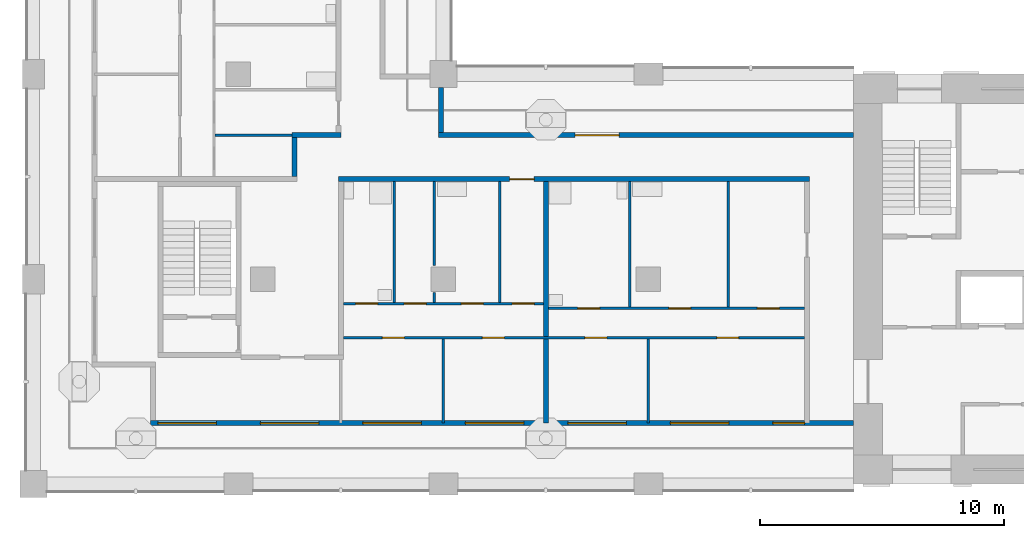
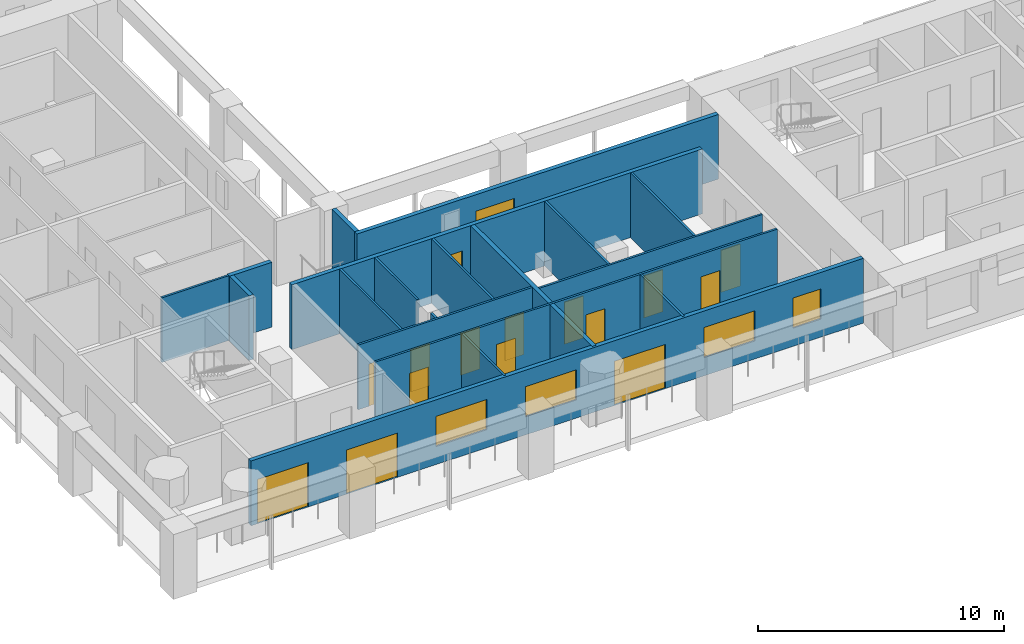
# One storey, part 2 of 13: 19 walls, 16 doors, 4 windows, 20 openings.
"""IFC4 building model written with IfcOpenShell, lengths in metres."""

from ifc_helpers import new_model, si_unit, direction, frame, frame_2d, origin, place, context, subcontext, project, spatial, rectangle, extrude, material, layer, layer_set, type_object, element, fill, save


model = new_model("IFC4")

# Units and contexts
model_context = context("Model", 3, precision=1e-05, world=origin(), true_north=direction((0.0, 1.0)))
body_context = subcontext(model_context, "Body", "Model", "MODEL_VIEW")
ifc_project = project(units=[si_unit("LENGTHUNIT", "METRE"), si_unit("AREAUNIT", "SQUARE_METRE"), si_unit("VOLUMEUNIT", "CUBIC_METRE"), si_unit("PLANEANGLEUNIT", "RADIAN"), si_unit("MASSUNIT", "GRAM", prefix="KILO")], contexts=[model_context])

# Site, building, storey
site_placement = place(None, origin())
site = spatial("IfcSite", under=ifc_project, at=site_placement, CompositionType="ELEMENT")
building_placement = place(site_placement, origin())
building = spatial("IfcBuilding", under=site, at=building_placement, Name="Vermilion Gate Residences", CompositionType="ELEMENT")
storey_placement = place(building_placement, frame((0.0, 0.0, 179.199951171875)))
storey = spatial("IfcBuildingStorey", under=building, at=storey_placement, Name="L46", CompositionType="ELEMENT", Elevation=179.199951171875)

# Wall, openings, doors, windows
ifc_material_1 = material(Name="Insulated steel stud wall with terracotta rainscreen", Category="masonry")
ifc_layer_1 = layer(ifc_material_1, 0.199951171875)
ifc_layer_set_1 = layer_set([ifc_layer_1], Name="EXTERNAL WALL 200 TERRACOTTA RAINSCREEN")
wall_type_1 = type_object("IfcWallType", Name="EXTERNAL WALL 200 TERRACOTTA RAINSCREEN", PredefinedType="SOLIDWALL", material=ifc_layer_set_1)
wall_1_placement = place(storey_placement, frame((13.199951171875, 10.89990234375, 0.0), z_axis=(0.0, 0.0, 1.0), x_axis=(1.0, 0.0, 0.0)))
wall_1 = element("IfcWall", 1, at=wall_1_placement, inside=storey, type_object=wall_type_1, Name="External wall", PredefinedType="SOLIDWALL", context=body_context, shape_type="SweptSolid", body=[
    extrude(rectangle(XDim=28.800048828125, YDim=0.199951171875, at=frame_2d((14.39990234375, 0.0))), origin(), (0.0, 0.0, 1.0), 3.219970703125),
])
opening_1_placement = place(wall_1_placement, frame((0.300048828125, 0.0, 0.0)))
opening_1 = element("IfcOpeningElement", 2, at=opening_1_placement, cuts=wall_1, Name="Opening DE46008", PredefinedType="OPENING", context=body_context, shape_type="SweptSolid", body=[
    extrude(rectangle(XDim=2.39990234375, YDim=2.199951171875, at=frame_2d((1.199951171875, 1.10009765625))), frame((0.0, 0.10986328125, 0.0), z_axis=(0.0, -1.0, 0.0), x_axis=(1.0, 0.0, 0.0)), (0.0, 0.0, 1.0), 0.219970703125),
])
opening_2_placement = place(wall_1_placement, frame((4.5, 0.0, 0.0)))
opening_2 = element("IfcOpeningElement", 3, at=opening_2_placement, cuts=wall_1, Name="Opening DE46009", PredefinedType="OPENING", context=body_context, shape_type="SweptSolid", body=[
    extrude(rectangle(XDim=2.39990234375, YDim=2.199951171875, at=frame_2d((1.199951171875, 1.10009765625))), frame((0.0, 0.10986328125, 0.0), z_axis=(0.0, -1.0, 0.0), x_axis=(1.0, 0.0, 0.0)), (0.0, 0.0, 1.0), 0.219970703125),
])
opening_3_placement = place(wall_1_placement, frame((8.699951171875, 0.0, 0.89990234375)))
opening_3 = element("IfcOpeningElement", 4, at=opening_3_placement, cuts=wall_1, Name="Opening WE46010", PredefinedType="OPENING", context=body_context, shape_type="SweptSolid", body=[
    extrude(rectangle(XDim=2.39990234375, YDim=1.5, at=frame_2d((1.199951171875, 0.75))), frame((0.0, 0.10986328125, 0.0), z_axis=(0.0, -1.0, 0.0), x_axis=(1.0, 0.0, 0.0)), (0.0, 0.0, 1.0), 0.219970703125),
])
opening_4_placement = place(wall_1_placement, frame((12.89990234375, 0.0, 0.89990234375)))
opening_4 = element("IfcOpeningElement", 5, at=opening_4_placement, cuts=wall_1, Name="Opening WE46011", PredefinedType="OPENING", context=body_context, shape_type="SweptSolid", body=[
    extrude(rectangle(XDim=2.39990234375, YDim=1.5, at=frame_2d((1.199951171875, 0.75))), frame((0.0, 0.10986328125, 0.0), z_axis=(0.0, -1.0, 0.0), x_axis=(1.0, 0.0, 0.0)), (0.0, 0.0, 1.0), 0.219970703125),
])
opening_5_placement = place(wall_1_placement, frame((17.10009765625, 0.0, 0.0)))
opening_5 = element("IfcOpeningElement", 6, at=opening_5_placement, cuts=wall_1, Name="Opening DE46012", PredefinedType="OPENING", context=body_context, shape_type="SweptSolid", body=[
    extrude(rectangle(XDim=2.39990234375, YDim=2.199951171875, at=frame_2d((1.199951171875, 1.10009765625))), frame((0.0, 0.10986328125, 0.0), z_axis=(0.0, -1.0, 0.0), x_axis=(1.0, 0.0, 0.0)), (0.0, 0.0, 1.0), 0.219970703125),
])
opening_6_placement = place(wall_1_placement, frame((21.300048828125, 0.0, 0.89990234375)))
opening_6 = element("IfcOpeningElement", 7, at=opening_6_placement, cuts=wall_1, Name="Opening WE46013", PredefinedType="OPENING", context=body_context, shape_type="SweptSolid", body=[
    extrude(rectangle(XDim=2.39990234375, YDim=1.5, at=frame_2d((1.199951171875, 0.75))), frame((0.0, 0.10986328125, 0.0), z_axis=(0.0, -1.0, 0.0), x_axis=(1.0, 0.0, 0.0)), (0.0, 0.0, 1.0), 0.219970703125),
])
opening_7_placement = place(wall_1_placement, frame((25.5, 0.0, 0.89990234375)))
opening_7 = element("IfcOpeningElement", 8, at=opening_7_placement, cuts=wall_1, Name="Opening WE46014", PredefinedType="OPENING", context=body_context, shape_type="SweptSolid", body=[
    extrude(rectangle(XDim=1.300048828125, YDim=1.5, at=frame_2d((0.64990234375, 0.75))), frame((0.0, 0.10986328125, 0.0), z_axis=(0.0, -1.0, 0.0), x_axis=(1.0, 0.0, 0.0)), (0.0, 0.0, 1.0), 0.219970703125),
])
ifc_material_2 = material(Name="Aluminium and clear glass", Category="aluminium")
door_type_1 = type_object("IfcDoorType", Name="SLIDING GLAZED DOOR 2400 X 2200", OperationType="DOUBLE_DOOR_SLIDING", PredefinedType="DOOR", material=ifc_material_2)
door_1_placement = place(opening_1_placement, origin())
door_1 = element("IfcDoor", 9, at=door_1_placement, inside=storey, type_object=door_type_1, Name="Loggia sliding door", OperationType="DOUBLE_DOOR_SLIDING", OverallHeight=2.199951171875, OverallWidth=2.39990234375, PredefinedType="DOOR", context=body_context, shape_type="SweptSolid", body=[
    extrude(rectangle(XDim=2.39990234375, YDim=2.199951171875, at=frame_2d((1.199951171875, 1.10009765625))), frame((0.0, 0.02490234375, 0.0), z_axis=(0.0, -1.0, 0.0), x_axis=(1.0, 0.0, 0.0)), (0.0, 0.0, 1.0), 0.050048828125),
])
fill(opening_1, door_1)
door_2_placement = place(opening_2_placement, origin())
door_2 = element("IfcDoor", 10, at=door_2_placement, inside=storey, type_object=door_type_1, Name="Loggia sliding door", OperationType="DOUBLE_DOOR_SLIDING", OverallHeight=2.199951171875, OverallWidth=2.39990234375, PredefinedType="DOOR", context=body_context, shape_type="SweptSolid", body=[
    extrude(rectangle(XDim=2.39990234375, YDim=2.199951171875, at=frame_2d((1.199951171875, 1.10009765625))), frame((0.0, 0.02490234375, 0.0), z_axis=(0.0, -1.0, 0.0), x_axis=(1.0, 0.0, 0.0)), (0.0, 0.0, 1.0), 0.050048828125),
])
fill(opening_2, door_2)
door_3_placement = place(opening_5_placement, origin())
door_3 = element("IfcDoor", 11, at=door_3_placement, inside=storey, type_object=door_type_1, Name="Loggia sliding door", OperationType="DOUBLE_DOOR_SLIDING", OverallHeight=2.199951171875, OverallWidth=2.39990234375, PredefinedType="DOOR", context=body_context, shape_type="SweptSolid", body=[
    extrude(rectangle(XDim=2.39990234375, YDim=2.199951171875, at=frame_2d((1.199951171875, 1.10009765625))), frame((0.0, 0.02490234375, 0.0), z_axis=(0.0, -1.0, 0.0), x_axis=(1.0, 0.0, 0.0)), (0.0, 0.0, 1.0), 0.050048828125),
])
fill(opening_5, door_3)
ifc_material_3 = material(Name="Aluminium and clear glass", Category="aluminium")
window_type_1 = type_object("IfcWindowType", Name="WINDOW 1300 X 1500", PartitioningType="SINGLE_PANEL", PredefinedType="WINDOW", material=ifc_material_3)
window_1_placement = place(opening_7_placement, origin())
window_1 = element("IfcWindow", 12, at=window_1_placement, inside=storey, type_object=window_type_1, Name="Window", OverallHeight=1.5, OverallWidth=1.300048828125, PartitioningType="SINGLE_PANEL", PredefinedType="WINDOW", context=body_context, shape_type="SweptSolid", body=[
    extrude(rectangle(XDim=1.300048828125, YDim=1.5, at=frame_2d((0.64990234375, 0.75))), frame((0.0, 0.030029296875, 0.0), z_axis=(0.0, -1.0, 0.0), x_axis=(1.0, 0.0, 0.0)), (0.0, 0.0, 1.0), 0.06005859375),
])
fill(opening_7, window_1)
ifc_material_4 = material(Name="Aluminium and clear glass", Category="aluminium")
window_type_2 = type_object("IfcWindowType", Name="WINDOW 2400 X 1500", PartitioningType="SINGLE_PANEL", PredefinedType="WINDOW", material=ifc_material_4)
window_2_placement = place(opening_3_placement, origin())
window_2 = element("IfcWindow", 13, at=window_2_placement, inside=storey, type_object=window_type_2, Name="Window", OverallHeight=1.5, OverallWidth=2.39990234375, PartitioningType="SINGLE_PANEL", PredefinedType="WINDOW", context=body_context, shape_type="SweptSolid", body=[
    extrude(rectangle(XDim=2.39990234375, YDim=1.5, at=frame_2d((1.199951171875, 0.75))), frame((0.0, 0.030029296875, 0.0), z_axis=(0.0, -1.0, 0.0), x_axis=(1.0, 0.0, 0.0)), (0.0, 0.0, 1.0), 0.06005859375),
])
fill(opening_3, window_2)
window_3_placement = place(opening_4_placement, origin())
window_3 = element("IfcWindow", 14, at=window_3_placement, inside=storey, type_object=window_type_2, Name="Window", OverallHeight=1.5, OverallWidth=2.39990234375, PartitioningType="SINGLE_PANEL", PredefinedType="WINDOW", context=body_context, shape_type="SweptSolid", body=[
    extrude(rectangle(XDim=2.39990234375, YDim=1.5, at=frame_2d((1.199951171875, 0.75))), frame((0.0, 0.030029296875, 0.0), z_axis=(0.0, -1.0, 0.0), x_axis=(1.0, 0.0, 0.0)), (0.0, 0.0, 1.0), 0.06005859375),
])
fill(opening_4, window_3)
window_4_placement = place(opening_6_placement, origin())
window_4 = element("IfcWindow", 15, at=window_4_placement, inside=storey, type_object=window_type_2, Name="Window", OverallHeight=1.5, OverallWidth=2.39990234375, PartitioningType="SINGLE_PANEL", PredefinedType="WINDOW", context=body_context, shape_type="SweptSolid", body=[
    extrude(rectangle(XDim=2.39990234375, YDim=1.5, at=frame_2d((1.199951171875, 0.75))), frame((0.0, 0.030029296875, 0.0), z_axis=(0.0, -1.0, 0.0), x_axis=(1.0, 0.0, 0.0)), (0.0, 0.0, 1.0), 0.06005859375),
])
fill(opening_6, window_4)

# Wall, opening, door
wall_2_placement = place(storey_placement, frame((42.0, 22.699951171875, 0.0), z_axis=(0.0, 0.0, 1.0), x_axis=(-1.0, 0.0, 0.0)))
wall_2 = element("IfcWall", 16, at=wall_2_placement, inside=storey, type_object=wall_type_1, Name="External wall", PredefinedType="SOLIDWALL", context=body_context, shape_type="SweptSolid", body=[
    extrude(rectangle(XDim=17.0, YDim=0.199951171875, at=frame_2d((8.5, 0.0))), origin(), (0.0, 0.0, 1.0), 3.219970703125),
])
opening_8_placement = place(wall_2_placement, frame((9.60009765625, 0.0, 0.0)))
opening_8 = element("IfcOpeningElement", 17, at=opening_8_placement, cuts=wall_2, Name="Opening DE46020", PredefinedType="OPENING", context=body_context, shape_type="SweptSolid", body=[
    extrude(rectangle(XDim=1.800048828125, YDim=2.39990234375, at=frame_2d((0.89990234375, 1.199951171875))), frame((0.0, 0.10986328125, 0.0), z_axis=(0.0, -1.0, 0.0), x_axis=(1.0, 0.0, 0.0)), (0.0, 0.0, 1.0), 0.219970703125),
])
ifc_material_5 = material(Name="Aluminium and clear glass", Category="aluminium")
door_type_2 = type_object("IfcDoorType", Name="GLAZED EXTERNAL DOOR 1800 X 2400", OperationType="DOUBLE_DOOR_SINGLE_SWING", PredefinedType="DOOR", material=ifc_material_5)
door_4_placement = place(opening_8_placement, frame((1.800048828125, 0.0, 0.0), z_axis=(0.0, 0.0, 1.0), x_axis=(-1.0, 0.0, 0.0)))
door_4 = element("IfcDoor", 18, at=door_4_placement, inside=storey, type_object=door_type_2, Name="Gallery door", OperationType="DOUBLE_DOOR_SINGLE_SWING", OverallHeight=2.39990234375, OverallWidth=1.800048828125, PredefinedType="DOOR", context=body_context, shape_type="SweptSolid", body=[
    extrude(rectangle(XDim=1.800048828125, YDim=2.39990234375, at=frame_2d((0.89990234375, 1.199951171875))), frame((0.0, 0.02490234375, 0.0), z_axis=(0.0, -1.0, 0.0), x_axis=(1.0, 0.0, 0.0)), (0.0, 0.0, 1.0), 0.050048828125),
])
fill(opening_8, door_4)

# Wall
wall_3_placement = place(storey_placement, frame((25.10009765625, 22.800048828125, 0.0), z_axis=(0.0, 0.0, 1.0), x_axis=(0.0, 1.0, 0.0)))
element("IfcWall", 19, at=wall_3_placement, inside=storey, type_object=wall_type_1, Name="External wall", PredefinedType="SOLIDWALL", context=body_context, shape_type="SweptSolid", body=[
    extrude(rectangle(XDim=1.849853515625, YDim=0.199951171875, at=frame_2d((0.9248046875, 0.0))), origin(), (0.0, 0.0, 1.0), 3.219970703125),
])

# Wall, openings, doors
ifc_material_6 = material(Name="Plasterboard on steel studs", Category="steel")
ifc_layer_2 = layer(ifc_material_6, 0.10009765625)
ifc_layer_set_2 = layer_set([ifc_layer_2], Name="PARTITION 100")
wall_type_2 = type_object("IfcWallType", Name="PARTITION 100", PredefinedType="PARTITIONING", material=ifc_layer_set_2)
wall_4_placement = place(storey_placement, frame((21.10009765625, 14.39990234375, 0.0), z_axis=(0.0, 0.0, 1.0), x_axis=(1.0, 0.0, 0.0)))
wall_4 = element("IfcWall", 20, at=wall_4_placement, inside=storey, type_object=wall_type_2, Name="Partition", PredefinedType="PARTITIONING", context=body_context, shape_type="SweptSolid", body=[
    extrude(rectangle(XDim=18.89990234375, YDim=0.10009765625, at=frame_2d((9.449951171875, 0.0))), origin(), (0.0, 0.0, 1.0), 3.219970703125),
])
opening_9_placement = place(wall_4_placement, frame((1.60009765625, 0.0, 0.0)))
opening_9 = element("IfcOpeningElement", 21, at=opening_9_placement, cuts=wall_4, Name="Opening DA46002", PredefinedType="OPENING", context=body_context, shape_type="SweptSolid", body=[
    extrude(rectangle(XDim=0.89990234375, YDim=2.10009765625, at=frame_2d((0.449951171875, 1.050048828125))), frame((0.0, 0.06005859375, 0.0), z_axis=(0.0, -1.0, 0.0), x_axis=(1.0, 0.0, 0.0)), (0.0, 0.0, 1.0), 0.1201171875),
])
opening_10_placement = place(wall_4_placement, frame((5.699951171875, 0.0, 0.0)))
opening_10 = element("IfcOpeningElement", 22, at=opening_10_placement, cuts=wall_4, Name="Opening DA46003", PredefinedType="OPENING", context=body_context, shape_type="SweptSolid", body=[
    extrude(rectangle(XDim=0.89990234375, YDim=2.10009765625, at=frame_2d((0.449951171875, 1.050048828125))), frame((0.0, 0.06005859375, 0.0), z_axis=(0.0, -1.0, 0.0), x_axis=(1.0, 0.0, 0.0)), (0.0, 0.0, 1.0), 0.1201171875),
])
opening_11_placement = place(wall_4_placement, frame((9.89990234375, 0.0, 0.0)))
opening_11 = element("IfcOpeningElement", 23, at=opening_11_placement, cuts=wall_4, Name="Opening DA46004", PredefinedType="OPENING", context=body_context, shape_type="SweptSolid", body=[
    extrude(rectangle(XDim=0.89990234375, YDim=2.10009765625, at=frame_2d((0.449951171875, 1.050048828125))), frame((0.0, 0.06005859375, 0.0), z_axis=(0.0, -1.0, 0.0), x_axis=(1.0, 0.0, 0.0)), (0.0, 0.0, 1.0), 0.1201171875),
])
opening_12_placement = place(wall_4_placement, frame((15.300048828125, 0.0, 0.0)))
opening_12 = element("IfcOpeningElement", 24, at=opening_12_placement, cuts=wall_4, Name="Opening DA46005", PredefinedType="OPENING", context=body_context, shape_type="SweptSolid", body=[
    extrude(rectangle(XDim=0.89990234375, YDim=2.10009765625, at=frame_2d((0.449951171875, 1.050048828125))), frame((0.0, 0.06005859375, 0.0), z_axis=(0.0, -1.0, 0.0), x_axis=(1.0, 0.0, 0.0)), (0.0, 0.0, 1.0), 0.1201171875),
])
ifc_material_7 = material(Name="Timber", Category="wood")
door_type_3 = type_object("IfcDoorType", Name="INTERIOR DOOR 900 X 2100", OperationType="SINGLE_SWING_LEFT", PredefinedType="DOOR", material=ifc_material_7)
door_5_placement = place(opening_9_placement, frame((0.89990234375, 0.0, 0.0), z_axis=(0.0, 0.0, 1.0), x_axis=(-1.0, 0.0, 0.0)))
door_5 = element("IfcDoor", 25, at=door_5_placement, inside=storey, type_object=door_type_3, Name="Interior door", OperationType="SINGLE_SWING_LEFT", OverallHeight=2.10009765625, OverallWidth=0.89990234375, PredefinedType="DOOR", context=body_context, shape_type="SweptSolid", body=[
    extrude(rectangle(XDim=0.89990234375, YDim=2.10009765625, at=frame_2d((0.449951171875, 1.050048828125))), frame((0.0, 0.02490234375, 0.0), z_axis=(0.0, -1.0, 0.0), x_axis=(1.0, 0.0, 0.0)), (0.0, 0.0, 1.0), 0.050048828125),
])
fill(opening_9, door_5)
door_6_placement = place(opening_10_placement, frame((0.89990234375, 0.0, 0.0), z_axis=(0.0, 0.0, 1.0), x_axis=(-1.0, 0.0, 0.0)))
door_6 = element("IfcDoor", 26, at=door_6_placement, inside=storey, type_object=door_type_3, Name="Interior door", OperationType="SINGLE_SWING_RIGHT", OverallHeight=2.10009765625, OverallWidth=0.89990234375, PredefinedType="DOOR", context=body_context, shape_type="SweptSolid", body=[
    extrude(rectangle(XDim=0.89990234375, YDim=2.10009765625, at=frame_2d((0.449951171875, 1.050048828125))), frame((0.0, 0.02490234375, 0.0), z_axis=(0.0, -1.0, 0.0), x_axis=(1.0, 0.0, 0.0)), (0.0, 0.0, 1.0), 0.050048828125),
])
fill(opening_10, door_6)
door_7_placement = place(opening_11_placement, frame((0.89990234375, 0.0, 0.0), z_axis=(0.0, 0.0, 1.0), x_axis=(-1.0, 0.0, 0.0)))
door_7 = element("IfcDoor", 27, at=door_7_placement, inside=storey, type_object=door_type_3, Name="Interior door", OperationType="SINGLE_SWING_RIGHT", OverallHeight=2.10009765625, OverallWidth=0.89990234375, PredefinedType="DOOR", context=body_context, shape_type="SweptSolid", body=[
    extrude(rectangle(XDim=0.89990234375, YDim=2.10009765625, at=frame_2d((0.449951171875, 1.050048828125))), frame((0.0, 0.02490234375, 0.0), z_axis=(0.0, -1.0, 0.0), x_axis=(1.0, 0.0, 0.0)), (0.0, 0.0, 1.0), 0.050048828125),
])
fill(opening_11, door_7)
door_8_placement = place(opening_12_placement, frame((0.89990234375, 0.0, 0.0), z_axis=(0.0, 0.0, 1.0), x_axis=(-1.0, 0.0, 0.0)))
door_8 = element("IfcDoor", 28, at=door_8_placement, inside=storey, type_object=door_type_3, Name="Interior door", OperationType="SINGLE_SWING_LEFT", OverallHeight=2.10009765625, OverallWidth=0.89990234375, PredefinedType="DOOR", context=body_context, shape_type="SweptSolid", body=[
    extrude(rectangle(XDim=0.89990234375, YDim=2.10009765625, at=frame_2d((0.449951171875, 1.050048828125))), frame((0.0, 0.02490234375, 0.0), z_axis=(0.0, -1.0, 0.0), x_axis=(1.0, 0.0, 0.0)), (0.0, 0.0, 1.0), 0.050048828125),
])
fill(opening_12, door_8)

wall_5_placement = place(storey_placement, frame((29.5, 15.60009765625, 0.0), z_axis=(0.0, 0.0, 1.0), x_axis=(1.0, 0.0, 0.0)))
wall_5 = element("IfcWall", 29, at=wall_5_placement, inside=storey, type_object=wall_type_2, Name="Partition", PredefinedType="PARTITIONING", context=body_context, shape_type="SweptSolid", body=[
    extrude(rectangle(XDim=10.5, YDim=0.10009765625, at=frame_2d((5.25, 0.0))), origin(), (0.0, 0.0, 1.0), 3.219970703125),
])
opening_13_placement = place(wall_5_placement, frame((8.56689453125, 0.0, 0.0)))
opening_13 = element("IfcOpeningElement", 30, at=opening_13_placement, cuts=wall_5, Name="Opening DA46006", PredefinedType="OPENING", context=body_context, shape_type="SweptSolid", body=[
    extrude(rectangle(XDim=0.89990234375, YDim=2.10009765625, at=frame_2d((0.449951171875, 1.050048828125))), frame((0.0, 0.06005859375, 0.0), z_axis=(0.0, -1.0, 0.0), x_axis=(1.0, 0.0, 0.0)), (0.0, 0.0, 1.0), 0.1201171875),
])
opening_14_placement = place(wall_5_placement, frame((1.199951171875, 0.0, 0.0)))
opening_14 = element("IfcOpeningElement", 31, at=opening_14_placement, cuts=wall_5, Name="Opening DA46007", PredefinedType="OPENING", context=body_context, shape_type="SweptSolid", body=[
    extrude(rectangle(XDim=0.89990234375, YDim=2.10009765625, at=frame_2d((0.449951171875, 1.050048828125))), frame((0.0, 0.06005859375, 0.0), z_axis=(0.0, -1.0, 0.0), x_axis=(1.0, 0.0, 0.0)), (0.0, 0.0, 1.0), 0.1201171875),
])
opening_15_placement = place(wall_5_placement, frame((4.93310546875, 0.0, 0.0)))
opening_15 = element("IfcOpeningElement", 32, at=opening_15_placement, cuts=wall_5, Name="Opening DA46008", PredefinedType="OPENING", context=body_context, shape_type="SweptSolid", body=[
    extrude(rectangle(XDim=0.89990234375, YDim=2.10009765625, at=frame_2d((0.449951171875, 1.050048828125))), frame((0.0, 0.06005859375, 0.0), z_axis=(0.0, -1.0, 0.0), x_axis=(1.0, 0.0, 0.0)), (0.0, 0.0, 1.0), 0.1201171875),
])
door_9_placement = place(opening_13_placement, frame((0.89990234375, 0.0, 0.0), z_axis=(0.0, 0.0, 1.0), x_axis=(-1.0, 0.0, 0.0)))
door_9 = element("IfcDoor", 33, at=door_9_placement, inside=storey, type_object=door_type_3, Name="Interior door", OperationType="SINGLE_SWING_LEFT", OverallHeight=2.10009765625, OverallWidth=0.89990234375, PredefinedType="DOOR", context=body_context, shape_type="SweptSolid", body=[
    extrude(rectangle(XDim=0.89990234375, YDim=2.10009765625, at=frame_2d((0.449951171875, 1.050048828125))), frame((0.0, 0.02490234375, 0.0), z_axis=(0.0, -1.0, 0.0), x_axis=(1.0, 0.0, 0.0)), (0.0, 0.0, 1.0), 0.050048828125),
])
fill(opening_13, door_9)
door_10_placement = place(opening_14_placement, origin())
door_10 = element("IfcDoor", 34, at=door_10_placement, inside=storey, type_object=door_type_3, Name="Interior door", OperationType="SINGLE_SWING_LEFT", OverallHeight=2.10009765625, OverallWidth=0.89990234375, PredefinedType="DOOR", context=body_context, shape_type="SweptSolid", body=[
    extrude(rectangle(XDim=0.89990234375, YDim=2.10009765625, at=frame_2d((0.449951171875, 1.050048828125))), frame((0.0, 0.02490234375, 0.0), z_axis=(0.0, -1.0, 0.0), x_axis=(1.0, 0.0, 0.0)), (0.0, 0.0, 1.0), 0.050048828125),
])
fill(opening_14, door_10)
door_11_placement = place(opening_15_placement, origin())
door_11 = element("IfcDoor", 35, at=door_11_placement, inside=storey, type_object=door_type_3, Name="Interior door", OperationType="SINGLE_SWING_RIGHT", OverallHeight=2.10009765625, OverallWidth=0.89990234375, PredefinedType="DOOR", context=body_context, shape_type="SweptSolid", body=[
    extrude(rectangle(XDim=0.89990234375, YDim=2.10009765625, at=frame_2d((0.449951171875, 1.050048828125))), frame((0.0, 0.02490234375, 0.0), z_axis=(0.0, -1.0, 0.0), x_axis=(1.0, 0.0, 0.0)), (0.0, 0.0, 1.0), 0.050048828125),
])
fill(opening_15, door_11)

wall_6_placement = place(storey_placement, frame((21.10009765625, 15.800048828125, 0.0), z_axis=(0.0, 0.0, 1.0), x_axis=(1.0, 0.0, 0.0)))
wall_6 = element("IfcWall", 36, at=wall_6_placement, inside=storey, type_object=wall_type_2, Name="Partition", PredefinedType="PARTITIONING", context=body_context, shape_type="SweptSolid", body=[
    extrude(rectangle(XDim=8.199951171875, YDim=0.10009765625, at=frame_2d((4.10009765625, 0.0))), origin(), (0.0, 0.0, 1.0), 3.219970703125),
])
opening_16_placement = place(wall_6_placement, frame((6.916015625, 0.0, 0.0)))
opening_16 = element("IfcOpeningElement", 37, at=opening_16_placement, cuts=wall_6, Name="Opening DA46009", PredefinedType="OPENING", context=body_context, shape_type="SweptSolid", body=[
    extrude(rectangle(XDim=0.89990234375, YDim=2.10009765625, at=frame_2d((0.449951171875, 1.050048828125))), frame((0.0, 0.06005859375, 0.0), z_axis=(0.0, -1.0, 0.0), x_axis=(1.0, 0.0, 0.0)), (0.0, 0.0, 1.0), 0.1201171875),
])
opening_17_placement = place(wall_6_placement, frame((0.5, 0.0, 0.0)))
opening_17 = element("IfcOpeningElement", 38, at=opening_17_placement, cuts=wall_6, Name="Opening DA46010", PredefinedType="OPENING", context=body_context, shape_type="SweptSolid", body=[
    extrude(rectangle(XDim=0.89990234375, YDim=2.10009765625, at=frame_2d((0.449951171875, 1.050048828125))), frame((0.0, 0.06005859375, 0.0), z_axis=(0.0, -1.0, 0.0), x_axis=(1.0, 0.0, 0.0)), (0.0, 0.0, 1.0), 0.1201171875),
])
opening_18_placement = place(wall_6_placement, frame((2.489990234375, 0.0, 0.0)))
opening_18 = element("IfcOpeningElement", 39, at=opening_18_placement, cuts=wall_6, Name="Opening DA46011", PredefinedType="OPENING", context=body_context, shape_type="SweptSolid", body=[
    extrude(rectangle(XDim=0.89990234375, YDim=2.10009765625, at=frame_2d((0.449951171875, 1.050048828125))), frame((0.0, 0.06005859375, 0.0), z_axis=(0.0, -1.0, 0.0), x_axis=(1.0, 0.0, 0.0)), (0.0, 0.0, 1.0), 0.1201171875),
])
opening_19_placement = place(wall_6_placement, frame((4.83203125, 0.0, 0.0)))
opening_19 = element("IfcOpeningElement", 40, at=opening_19_placement, cuts=wall_6, Name="Opening DA46012", PredefinedType="OPENING", context=body_context, shape_type="SweptSolid", body=[
    extrude(rectangle(XDim=0.89990234375, YDim=2.10009765625, at=frame_2d((0.449951171875, 1.050048828125))), frame((0.0, 0.06005859375, 0.0), z_axis=(0.0, -1.0, 0.0), x_axis=(1.0, 0.0, 0.0)), (0.0, 0.0, 1.0), 0.1201171875),
])
door_12_placement = place(opening_16_placement, origin())
door_12 = element("IfcDoor", 41, at=door_12_placement, inside=storey, type_object=door_type_3, Name="Interior door", OperationType="SINGLE_SWING_RIGHT", OverallHeight=2.10009765625, OverallWidth=0.89990234375, PredefinedType="DOOR", context=body_context, shape_type="SweptSolid", body=[
    extrude(rectangle(XDim=0.89990234375, YDim=2.10009765625, at=frame_2d((0.449951171875, 1.050048828125))), frame((0.0, 0.02490234375, 0.0), z_axis=(0.0, -1.0, 0.0), x_axis=(1.0, 0.0, 0.0)), (0.0, 0.0, 1.0), 0.050048828125),
])
fill(opening_16, door_12)
door_13_placement = place(opening_17_placement, origin())
door_13 = element("IfcDoor", 42, at=door_13_placement, inside=storey, type_object=door_type_3, Name="Interior door", OperationType="SINGLE_SWING_RIGHT", OverallHeight=2.10009765625, OverallWidth=0.89990234375, PredefinedType="DOOR", context=body_context, shape_type="SweptSolid", body=[
    extrude(rectangle(XDim=0.89990234375, YDim=2.10009765625, at=frame_2d((0.449951171875, 1.050048828125))), frame((0.0, 0.02490234375, 0.0), z_axis=(0.0, -1.0, 0.0), x_axis=(1.0, 0.0, 0.0)), (0.0, 0.0, 1.0), 0.050048828125),
])
fill(opening_17, door_13)
door_14_placement = place(opening_18_placement, origin())
door_14 = element("IfcDoor", 43, at=door_14_placement, inside=storey, type_object=door_type_3, Name="Interior door", OperationType="SINGLE_SWING_RIGHT", OverallHeight=2.10009765625, OverallWidth=0.89990234375, PredefinedType="DOOR", context=body_context, shape_type="SweptSolid", body=[
    extrude(rectangle(XDim=0.89990234375, YDim=2.10009765625, at=frame_2d((0.449951171875, 1.050048828125))), frame((0.0, 0.02490234375, 0.0), z_axis=(0.0, -1.0, 0.0), x_axis=(1.0, 0.0, 0.0)), (0.0, 0.0, 1.0), 0.050048828125),
])
fill(opening_18, door_14)
door_15_placement = place(opening_19_placement, origin())
door_15 = element("IfcDoor", 44, at=door_15_placement, inside=storey, type_object=door_type_3, Name="Interior door", OperationType="SINGLE_SWING_RIGHT", OverallHeight=2.10009765625, OverallWidth=0.89990234375, PredefinedType="DOOR", context=body_context, shape_type="SweptSolid", body=[
    extrude(rectangle(XDim=0.89990234375, YDim=2.10009765625, at=frame_2d((0.449951171875, 1.050048828125))), frame((0.0, 0.02490234375, 0.0), z_axis=(0.0, -1.0, 0.0), x_axis=(1.0, 0.0, 0.0)), (0.0, 0.0, 1.0), 0.050048828125),
])
fill(opening_19, door_15)

# Walls
wall_7_placement = place(storey_placement, frame((15.85009765625, 22.699951171875, 0.0), z_axis=(0.0, 0.0, 1.0), x_axis=(1.0, 0.0, 0.0)))
element("IfcWall", 45, at=wall_7_placement, inside=storey, type_object=wall_type_2, Name="Partition", PredefinedType="PARTITIONING", context=body_context, shape_type="SweptSolid", body=[
    extrude(rectangle(XDim=3.14990234375, YDim=0.10009765625, at=frame_2d((1.574951171875, 0.0))), origin(), (0.0, 0.0, 1.0), 3.219970703125),
])
wall_8_placement = place(storey_placement, frame((23.18994140625, 15.85009765625, 0.0), z_axis=(0.0, 0.0, 1.0), x_axis=(0.0, 1.0, 0.0)))
element("IfcWall", 46, at=wall_8_placement, inside=storey, type_object=wall_type_2, Name="Partition", PredefinedType="PARTITIONING", context=body_context, shape_type="SweptSolid", body=[
    extrude(rectangle(XDim=4.949951171875, YDim=0.10009765625, at=frame_2d((2.47509765625, 0.0))), origin(), (0.0, 0.0, 1.0), 3.219970703125),
])
wall_9_placement = place(storey_placement, frame((24.83203125, 15.85009765625, 0.0), z_axis=(0.0, 0.0, 1.0), x_axis=(0.0, 1.0, 0.0)))
element("IfcWall", 47, at=wall_9_placement, inside=storey, type_object=wall_type_2, Name="Partition", PredefinedType="PARTITIONING", context=body_context, shape_type="SweptSolid", body=[
    extrude(rectangle(XDim=0.39990234375, YDim=0.10009765625, at=frame_2d((0.199951171875, 0.0))), origin(), (0.0, 0.0, 1.0), 3.219970703125),
])
wall_10_placement = place(storey_placement, frame((24.83203125, 17.35009765625, 0.0), z_axis=(0.0, 0.0, 1.0), x_axis=(0.0, 1.0, 0.0)))
element("IfcWall", 48, at=wall_10_placement, inside=storey, type_object=wall_type_2, Name="Partition", PredefinedType="PARTITIONING", context=body_context, shape_type="SweptSolid", body=[
    extrude(rectangle(XDim=3.449951171875, YDim=0.10009765625, at=frame_2d((1.72509765625, 0.0))), origin(), (0.0, 0.0, 1.0), 3.219970703125),
])
wall_11_placement = place(storey_placement, frame((25.199951171875, 10.89990234375, 0.0), z_axis=(0.0, 0.0, 1.0), x_axis=(0.0, 1.0, 0.0)))
element("IfcWall", 49, at=wall_11_placement, inside=storey, type_object=wall_type_2, Name="Partition", PredefinedType="PARTITIONING", context=body_context, shape_type="SweptSolid", body=[
    extrude(rectangle(XDim=3.4501953125, YDim=0.10009765625, at=frame_2d((1.72509765625, 0.0))), origin(), (0.0, 0.0, 1.0), 3.219970703125),
])
wall_12_placement = place(storey_placement, frame((27.51611328125, 15.85009765625, 0.0), z_axis=(0.0, 0.0, 1.0), x_axis=(0.0, 1.0, 0.0)))
element("IfcWall", 50, at=wall_12_placement, inside=storey, type_object=wall_type_2, Name="Partition", PredefinedType="PARTITIONING", context=body_context, shape_type="SweptSolid", body=[
    extrude(rectangle(XDim=4.949951171875, YDim=0.10009765625, at=frame_2d((2.47509765625, 0.0))), origin(), (0.0, 0.0, 1.0), 3.219970703125),
])
wall_13_placement = place(storey_placement, frame((32.8330078125, 15.64990234375, 0.0), z_axis=(0.0, 0.0, 1.0), x_axis=(0.0, 1.0, 0.0)))
element("IfcWall", 51, at=wall_13_placement, inside=storey, type_object=wall_type_2, Name="Partition", PredefinedType="PARTITIONING", context=body_context, shape_type="SweptSolid", body=[
    extrude(rectangle(XDim=5.150146484375, YDim=0.10009765625, at=frame_2d((2.5751953125, 0.0))), origin(), (0.0, 0.0, 1.0), 3.219970703125),
])
wall_14_placement = place(storey_placement, frame((33.60009765625, 10.89990234375, 0.0), z_axis=(0.0, 0.0, 1.0), x_axis=(0.0, 1.0, 0.0)))
element("IfcWall", 52, at=wall_14_placement, inside=storey, type_object=wall_type_2, Name="Partition", PredefinedType="PARTITIONING", context=body_context, shape_type="SweptSolid", body=[
    extrude(rectangle(XDim=3.4501953125, YDim=0.10009765625, at=frame_2d((1.72509765625, 0.0))), origin(), (0.0, 0.0, 1.0), 3.219970703125),
])
wall_15_placement = place(storey_placement, frame((36.866943359375, 15.64990234375, 0.0), z_axis=(0.0, 0.0, 1.0), x_axis=(0.0, 1.0, 0.0)))
element("IfcWall", 53, at=wall_15_placement, inside=storey, type_object=wall_type_2, Name="Partition", PredefinedType="PARTITIONING", context=body_context, shape_type="SweptSolid", body=[
    extrude(rectangle(XDim=5.150146484375, YDim=0.10009765625, at=frame_2d((2.5751953125, 0.0))), origin(), (0.0, 0.0, 1.0), 3.219970703125),
])

# Wall, opening, door
ifc_material_8 = material(Name="Fire-rated plasterboard on steel studs", Category="steel")
ifc_layer_3 = layer(ifc_material_8, 0.199951171875)
ifc_layer_set_3 = layer_set([ifc_layer_3], Name="PARTY WALL 200 EI 120")
wall_type_3 = type_object("IfcWallType", Name="PARTY WALL 200 EI 120", PredefinedType="PARTITIONING", material=ifc_layer_set_3)
wall_16_placement = place(storey_placement, frame((20.89990234375, 20.89990234375, 0.0), z_axis=(0.0, 0.0, 1.0), x_axis=(1.0, 0.0, 0.0)))
wall_16 = element("IfcWall", 54, at=wall_16_placement, inside=storey, type_object=wall_type_3, Name="Party and corridor wall", PredefinedType="PARTITIONING", context=body_context, shape_type="SweptSolid", body=[
    extrude(rectangle(XDim=19.300048828125, YDim=0.199951171875, at=frame_2d((9.64990234375, 0.0))), origin(), (0.0, 0.0, 1.0), 3.219970703125),
])
opening_20_placement = place(wall_16_placement, frame((7.01611328125, 0.0, 0.0)))
opening_20 = element("IfcOpeningElement", 55, at=opening_20_placement, cuts=wall_16, Name="Opening DA46013", PredefinedType="OPENING", context=body_context, shape_type="SweptSolid", body=[
    extrude(rectangle(XDim=1.0, YDim=2.10009765625, at=frame_2d((0.5, 1.050048828125))), frame((0.0, 0.10986328125, 0.0), z_axis=(0.0, -1.0, 0.0), x_axis=(1.0, 0.0, 0.0)), (0.0, 0.0, 1.0), 0.219970703125),
])
ifc_material_9 = material(Name="Steel", Category="steel")
door_type_4 = type_object("IfcDoorType", Name="ENTRANCE DOOR 1000 X 2100 FD30", OperationType="SINGLE_SWING_LEFT", PredefinedType="DOOR", material=ifc_material_9)
door_16_placement = place(opening_20_placement, frame((1.0, 0.0, 0.0), z_axis=(0.0, 0.0, 1.0), x_axis=(-1.0, 0.0, 0.0)))
door_16 = element("IfcDoor", 56, at=door_16_placement, inside=storey, type_object=door_type_4, Name="Entrance door", OperationType="SINGLE_SWING_RIGHT", OverallHeight=2.10009765625, OverallWidth=1.0, PredefinedType="DOOR", context=body_context, shape_type="SweptSolid", body=[
    extrude(rectangle(XDim=1.0, YDim=2.10009765625, at=frame_2d((0.5, 1.050048828125))), frame((0.0, 0.02490234375, 0.0), z_axis=(0.0, -1.0, 0.0), x_axis=(1.0, 0.0, 0.0)), (0.0, 0.0, 1.0), 0.050048828125),
])
fill(opening_20, door_16)

# Walls
wall_17_placement = place(storey_placement, frame((19.0, 22.699951171875, 0.0), z_axis=(0.0, 0.0, 1.0), x_axis=(1.0, 0.0, 0.0)))
element("IfcWall", 57, at=wall_17_placement, inside=storey, type_object=wall_type_3, Name="Party and corridor wall", PredefinedType="PARTITIONING", context=body_context, shape_type="SweptSolid", body=[
    extrude(rectangle(XDim=2.0, YDim=0.199951171875, at=frame_2d((1.0, 0.0))), origin(), (0.0, 0.0, 1.0), 3.219970703125),
])
wall_18_placement = place(storey_placement, frame((19.10009765625, 21.0, 0.0), z_axis=(0.0, 0.0, 1.0), x_axis=(0.0, 1.0, 0.0)))
element("IfcWall", 58, at=wall_18_placement, inside=storey, type_object=wall_type_3, Name="Party and corridor wall", PredefinedType="PARTITIONING", context=body_context, shape_type="SweptSolid", body=[
    extrude(rectangle(XDim=1.60009765625, YDim=0.199951171875, at=frame_2d((0.800048828125, 0.0))), origin(), (0.0, 0.0, 1.0), 3.219970703125),
])
wall_19_placement = place(storey_placement, frame((29.39990234375, 10.89990234375, 0.0), z_axis=(0.0, 0.0, 1.0), x_axis=(0.0, 1.0, 0.0)))
element("IfcWall", 59, at=wall_19_placement, inside=storey, type_object=wall_type_3, Name="Party and corridor wall", PredefinedType="PARTITIONING", context=body_context, shape_type="SweptSolid", body=[
    extrude(rectangle(XDim=9.900146484375, YDim=0.199951171875, at=frame_2d((4.9501953125, 0.0))), origin(), (0.0, 0.0, 1.0), 3.219970703125),
])

save(model, "model.ifc")
